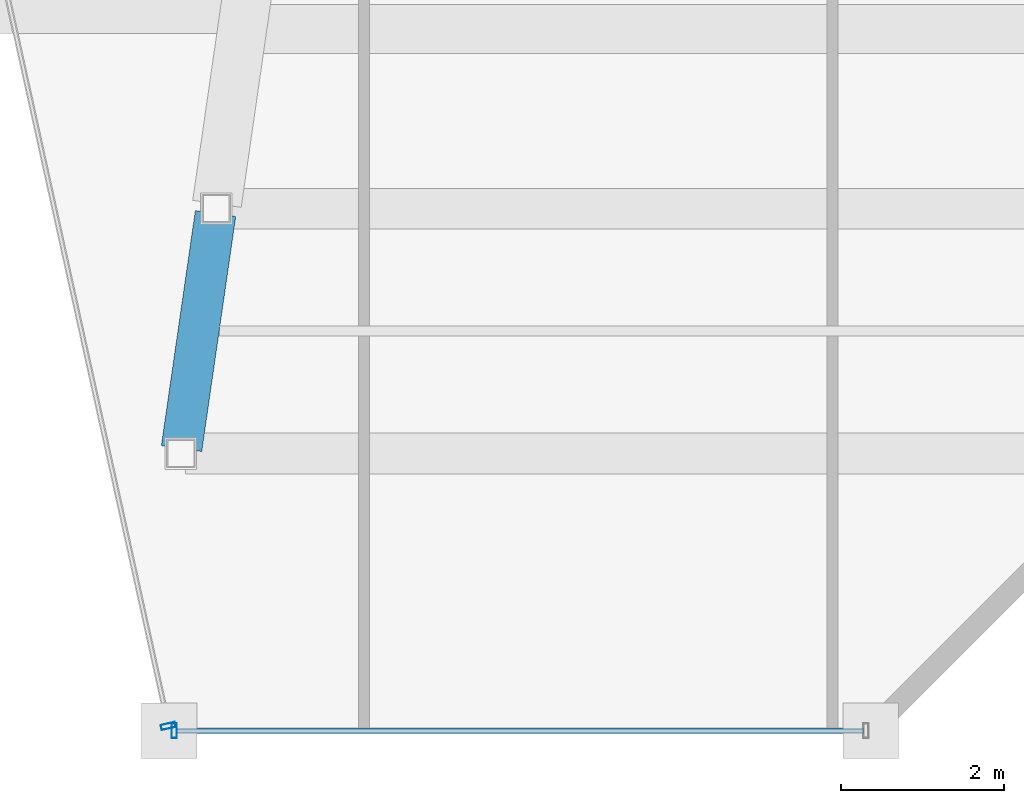
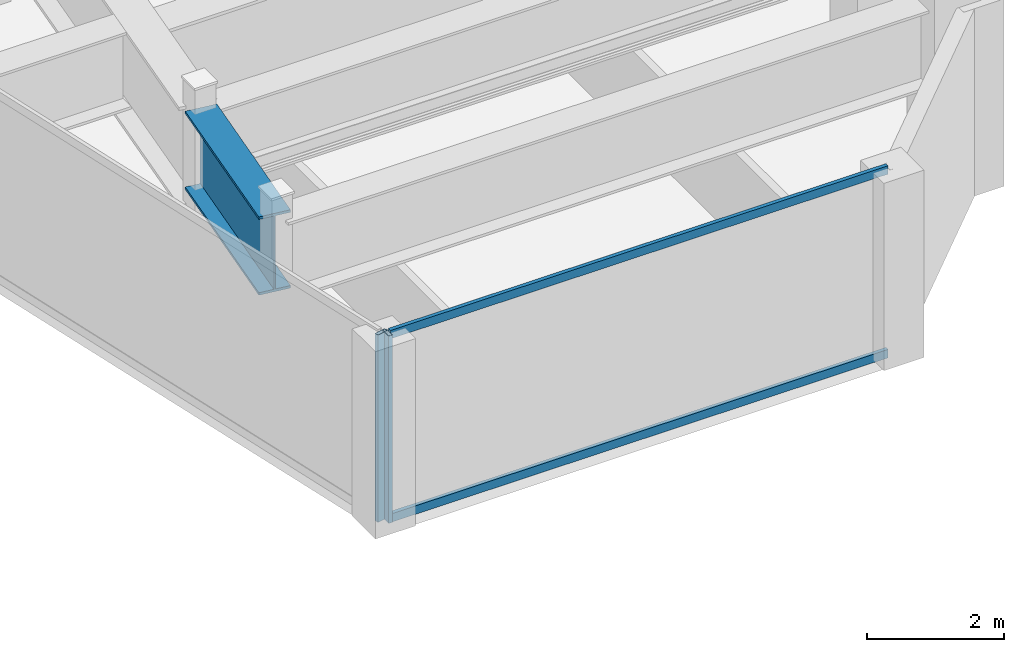
# One storey, part 14 of 35: 4 members, 1 beam, 2 elements without a shape of their own.
"""IFC4 building model written with IfcOpenShell, lengths in metres."""

from ifc_helpers import new_model, si_unit, direction, frame, origin, origin_2d, place, context, subcontext, project, spatial, hollow_rectangle, i_section, extrude, material, material_profile, profile_set, type_object, element, aggregate, save


model = new_model("IFC4")

# Units and contexts
model_context = context("Model", 3, precision=1e-05, world=origin(), true_north=direction((0.0, 1.0)))
body_context = subcontext(model_context, "Body", "Model", "MODEL_VIEW")
ifc_project = project(units=[si_unit("LENGTHUNIT", "METRE"), si_unit("AREAUNIT", "SQUARE_METRE"), si_unit("VOLUMEUNIT", "CUBIC_METRE"), si_unit("PLANEANGLEUNIT", "RADIAN"), si_unit("MASSUNIT", "GRAM", prefix="KILO")], contexts=[model_context])

# Site, building, storey
site_placement = place(None, origin())
site = spatial("IfcSite", under=ifc_project, at=site_placement, CompositionType="ELEMENT")
building_placement = place(site_placement, origin())
building = spatial("IfcBuilding", under=site, at=building_placement, Name="Saevonmaru Cultural Tower", CompositionType="ELEMENT")
storey_placement = place(building_placement, frame((0.0, 0.0, 249.60009765625)))
storey = spatial("IfcBuildingStorey", under=building, at=storey_placement, Name="L58", CompositionType="ELEMENT", Elevation=249.60009765625)

# Beam
ifc_material_1 = material(Name="Steel HSA600 (600 MPa)", Category="steel")
ifc_material_profile_1 = material_profile(ifc_material_1, i_section(OverallWidth=0.5, OverallDepth=1.39990234375, WebThickness=0.02392578125, FlangeThickness=0.044921875, at=origin_2d()), Name="PG-1400x500x24x45")
ifc_profile_set_1 = profile_set([ifc_material_profile_1], Name="Steel HSA600 (600 MPa)")
beam_type = type_object("IfcBeamType", Name="BM-TG-PG1400", PredefinedType="BEAM", material=ifc_profile_set_1)
beam_placement = place(storey_placement, frame((38.802490234375, 21.059326171875, 2.64990234375), z_axis=(0.143229094195, 0.989689560709, 0.0), x_axis=(-0.989689560709, 0.143229094195, 0.0)))
element("IfcBeam", 1, at=beam_placement, inside=storey, type_object=beam_type, Name="L58 East Atrium Girder 1", PredefinedType="BEAM", context=body_context, shape_type="SweptSolid", body=[
    extrude(i_section(OverallWidth=0.5, OverallDepth=1.39990234375, WebThickness=0.02392578125, FlangeThickness=0.044921875, at=origin_2d()), origin(), (0.0, 0.0, 1.0), 2.911376953125),
])

# Curtain wall, member
ifc_material_2 = material(Name="Satin Bronze Anodised Aluminium", Category="aluminium")
curtain_wall_type = type_object("IfcCurtainWallType", Name="CW-TYP-B", PredefinedType="NOTDEFINED", material=ifc_material_2)
curtain_wall_1_placement = place(storey_placement, origin())
curtain_wall_1 = element("IfcCurtainWall", 2, at=curtain_wall_1_placement, inside=storey, type_object=curtain_wall_type, Name="L58 Unitised Curtain Wall E5", PredefinedType="NOTDEFINED")
ifc_material_profile_2 = material_profile(ifc_material_2, hollow_rectangle(XDim=0.06494140625, YDim=0.179931640625, WallThickness=0.00390625, at=origin_2d()), Name="ALU-MULL-180x65x4")
ifc_profile_set_2 = profile_set([ifc_material_profile_2], Name="Satin Bronze Anodised Aluminium")
member_type_1 = type_object("IfcMemberType", Name="ML-CW-180x65", PredefinedType="MULLION", material=ifc_profile_set_2)
member_1_placement = place(storey_placement, frame((38.640380859375, 17.65869140625, 0.0), z_axis=(0.0, 0.0, 1.0), x_axis=(0.215413319953, -0.976522965212, 0.0)))
member_1 = element("IfcMember", 3, at=member_1_placement, type_object=member_type_1, Name="CW-TW-L58-E5 mullion 2", PredefinedType="MULLION", context=body_context, shape_type="SweptSolid", body=[
    extrude(hollow_rectangle(XDim=0.06494140625, YDim=0.179931640625, WallThickness=0.00390625, at=origin_2d()), origin(), (0.0, 0.0, 1.0), 3.349853515625),
])
aggregate(curtain_wall_1, [member_1])

# Curtain wall, members
curtain_wall_2_placement = place(storey_placement, origin())
curtain_wall_2 = element("IfcCurtainWall", 4, at=curtain_wall_2_placement, inside=storey, type_object=curtain_wall_type, Name="L58 Unitised Curtain Wall E6", PredefinedType="NOTDEFINED")
member_2_placement = place(storey_placement, frame((38.71337890625, 17.60009765625, 0.0), z_axis=(0.0, 0.0, 1.0), x_axis=(1.0, 0.0, 0.0)))
member_2 = element("IfcMember", 5, at=member_2_placement, type_object=member_type_1, Name="CW-TW-L58-E6 mullion 1", PredefinedType="MULLION", context=body_context, shape_type="SweptSolid", body=[
    extrude(hollow_rectangle(XDim=0.06494140625, YDim=0.179931640625, WallThickness=0.00390625, at=origin_2d()), origin(), (0.0, 0.0, 1.0), 3.349853515625),
])
ifc_material_profile_3 = material_profile(ifc_material_2, hollow_rectangle(XDim=0.06494140625, YDim=0.14990234375, WallThickness=0.00390625, at=origin_2d()), Name="ALU-TRAN-150x65x4")
ifc_profile_set_3 = profile_set([ifc_material_profile_3], Name="Satin Bronze Anodised Aluminium")
member_type_2 = type_object("IfcMemberType", Name="TR-CW-150x65", PredefinedType="USERDEFINED", material=ifc_profile_set_3)
member_3_placement = place(storey_placement, frame((38.745849609375, 17.60009765625, 0.032470703125), z_axis=(1.0, 0.0, 0.0), x_axis=(0.0, 1.0, 0.0)))
member_3 = element("IfcMember", 6, at=member_3_placement, type_object=member_type_2, Name="CW-TW-L58-E6 transom 1.1", ObjectType="TRANSOM", PredefinedType="USERDEFINED", context=body_context, shape_type="SweptSolid", body=[
    extrude(hollow_rectangle(XDim=0.06494140625, YDim=0.14990234375, WallThickness=0.00390625, at=origin_2d()), origin(), (0.0, 0.0, 1.0), 8.4150390625),
])
member_4_placement = place(storey_placement, frame((38.745849609375, 17.60009765625, 3.3173828125), z_axis=(1.0, 0.0, 0.0), x_axis=(0.0, 1.0, 0.0)))
member_4 = element("IfcMember", 7, at=member_4_placement, type_object=member_type_2, Name="CW-TW-L58-E6 transom 1.2", ObjectType="TRANSOM", PredefinedType="USERDEFINED", context=body_context, shape_type="SweptSolid", body=[
    extrude(hollow_rectangle(XDim=0.06494140625, YDim=0.14990234375, WallThickness=0.00390625, at=origin_2d()), origin(), (0.0, 0.0, 1.0), 8.4150390625),
])
aggregate(curtain_wall_2, [member_2, member_3, member_4])

save(model, "model.ifc")
